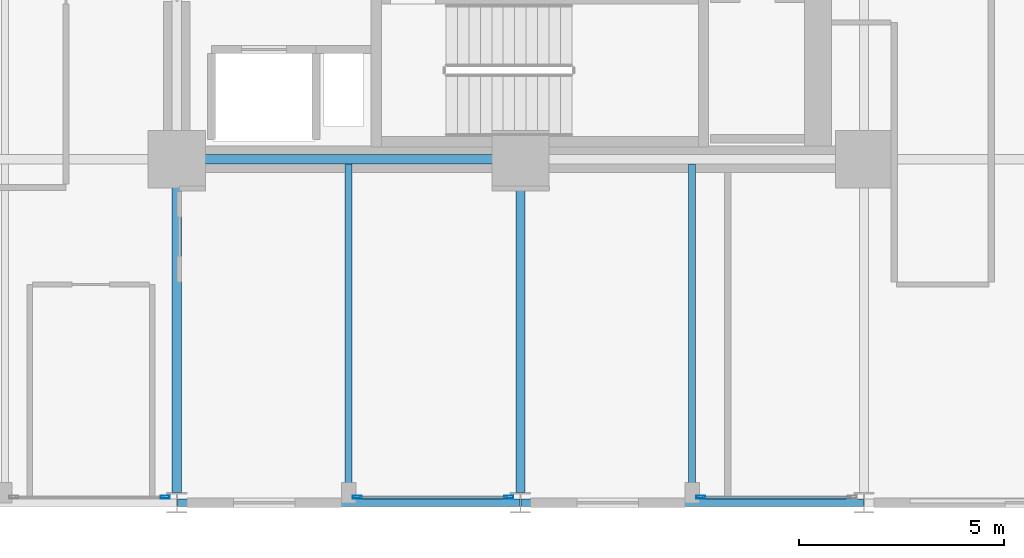
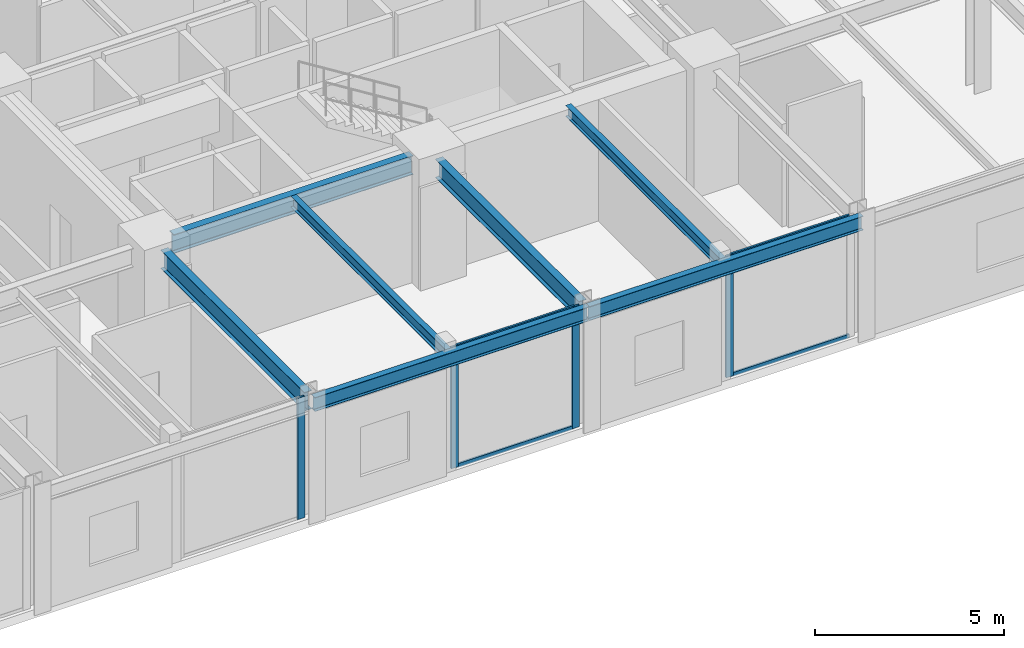
# One storey, part 4 of 24: 8 members, 7 beams, 3 elements without a shape of their own.
"""IFC4 building model written with IfcOpenShell, lengths in metres."""

from ifc_helpers import new_model, si_unit, direction, frame, origin, origin_2d, place, context, subcontext, project, spatial, hollow_rectangle, i_section, extrude, material, layer, layer_set, material_profile, profile_set, type_object, element, aggregate, save


model = new_model("IFC4")

# Units and contexts
model_context = context("Model", 3, precision=1e-05, world=origin(), true_north=direction((0.0, 1.0)))
body_context = subcontext(model_context, "Body", "Model", "MODEL_VIEW")
ifc_project = project(units=[si_unit("LENGTHUNIT", "METRE"), si_unit("AREAUNIT", "SQUARE_METRE"), si_unit("VOLUMEUNIT", "CUBIC_METRE"), si_unit("PLANEANGLEUNIT", "RADIAN"), si_unit("MASSUNIT", "GRAM", prefix="KILO")], contexts=[model_context])

# Site, building, storey
site_placement = place(None, origin())
site = spatial("IfcSite", under=ifc_project, at=site_placement, CompositionType="ELEMENT")
building_placement = place(site_placement, origin())
building = spatial("IfcBuilding", under=site, at=building_placement, Name="Nerrivon Quay Data Exchange", CompositionType="ELEMENT")
storey_placement = place(building_placement, frame((0.0, 0.0, 45.800048828125)))
storey = spatial("IfcBuildingStorey", under=building, at=storey_placement, Name="L10", CompositionType="ELEMENT", Elevation=45.800048828125)

# Beams
ifc_material_1 = material(Name="Steel Grade 350", Category="steel")
ifc_material_profile_1 = material_profile(ifc_material_1, i_section(OverallWidth=0.22900390625, OverallDepth=0.612060546875, WebThickness=0.011962890625, FlangeThickness=0.01953125, FilletRadius=0.013916015625, at=origin_2d()), Name="610UB125")
ifc_profile_set_1 = profile_set([ifc_material_profile_1], Name="Steel Grade 350")
beam_type_1 = type_object("IfcBeamType", Name="BM-G1-610UB125", PredefinedType="BEAM", material=ifc_profile_set_1)
beam_1_placement = place(storey_placement, frame((17.340087890625, 8.39990234375, 3.618896484375), z_axis=(1.0, 0.0, 0.0), x_axis=(0.0, 1.0, 0.0)))
element("IfcBeam", 1, at=beam_1_placement, inside=storey, type_object=beam_type_1, Name="L10 EW Girder Y=8.4 (16.8..25.2)", PredefinedType="BEAM", context=body_context, shape_type="SweptSolid", body=[
    extrude(i_section(OverallWidth=0.22900390625, OverallDepth=0.612060546875, WebThickness=0.011962890625, FlangeThickness=0.01953125, FilletRadius=0.013916015625, at=origin_2d()), origin(), (0.0, 0.0, 1.0), 7.31982421875),
])
ifc_material_profile_2 = material_profile(ifc_material_1, i_section(OverallWidth=0.22802734375, OverallDepth=0.60205078125, WebThickness=0.010498046875, FlangeThickness=0.014892578125, FilletRadius=0.013916015625, at=origin_2d()), Name="610UB101")
ifc_profile_set_2 = profile_set([ifc_material_profile_2], Name="Steel Grade 350")
beam_type_2 = type_object("IfcBeamType", Name="BM-G2-610UB101", PredefinedType="BEAM", material=ifc_profile_set_2)
for number, where, z_axis, x_axis, name in (
    (2, (16.800048828125, 0.25, 3.6240234375), (0.0, 1.0, 0.0), (-1.0, 0.0, 0.0), "L10 NS Girder X=16.8 (0.0..8.4)"),
    (3, (25.199951171875, 0.25, 3.6240234375), (0.0, 1.0, 0.0), (-1.0, 0.0, 0.0), "L10 NS Girder X=25.2 (0.0..8.4)"),
):
    element("IfcBeam", number, at=place(storey_placement, frame(where, z_axis=z_axis, x_axis=x_axis)), inside=storey, type_object=beam_type_2, Name=name, PredefinedType="BEAM", context=body_context, shape_type="SweptSolid", body=[
        extrude(i_section(OverallWidth=0.22802734375, OverallDepth=0.60205078125, WebThickness=0.010498046875, FlangeThickness=0.014892578125, FilletRadius=0.013916015625, at=origin_2d()), origin(), (0.0, 0.0, 1.0), 7.610107421875),
    ])
ifc_material_profile_3 = material_profile(ifc_material_1, i_section(OverallWidth=0.172119140625, OverallDepth=0.35888671875, WebThickness=0.008056640625, FlangeThickness=0.012939453125, FilletRadius=0.011474609375, at=origin_2d()), Name="360UB56.7")
ifc_profile_set_3 = profile_set([ifc_material_profile_3], Name="Steel Grade 350")
beam_type_3 = type_object("IfcBeamType", Name="BM-J3-360UB57", PredefinedType="JOIST", material=ifc_profile_set_3)
for number, where, z_axis, x_axis, name in (
    (4, (21.0, 0.094970703125, 3.745361328125), (0.0, 1.0, 0.0), (-1.0, 0.0, 0.0), "L10 Secondary Joist X=21.0 (0.0..8.4)"),
    (5, (29.39990234375, 0.094970703125, 3.745361328125), (0.0, 1.0, 0.0), (-1.0, 0.0, 0.0), "L10 Secondary Joist X=29.4 (0.0..8.4)"),
):
    element("IfcBeam", number, at=place(storey_placement, frame(where, z_axis=z_axis, x_axis=x_axis)), inside=storey, type_object=beam_type_3, Name=name, PredefinedType="JOIST", context=body_context, shape_type="SweptSolid", body=[
        extrude(i_section(OverallWidth=0.172119140625, OverallDepth=0.35888671875, WebThickness=0.008056640625, FlangeThickness=0.012939453125, FilletRadius=0.011474609375, at=origin_2d()), origin(), (0.0, 0.0, 1.0), 8.1904296875),
    ])
ifc_material_profile_4 = material_profile(ifc_material_1, i_section(OverallWidth=0.18994140625, OverallDepth=0.4541015625, WebThickness=0.008544921875, FlangeThickness=0.0126953125, FilletRadius=0.011474609375, at=origin_2d()), Name="460UB67.1")
ifc_profile_set_4 = profile_set([ifc_material_profile_4], Name="Steel Grade 350")
beam_type_4 = type_object("IfcBeamType", Name="BM-SP1-460UB67", PredefinedType="SPANDREL", material=ifc_profile_set_4)
beam_2_placement = place(storey_placement, frame((16.81396484375, 0.0, 3.697998046875), z_axis=(1.0, 0.0, 0.0), x_axis=(0.0, 1.0, 0.0)))
element("IfcBeam", 6, at=beam_2_placement, inside=storey, type_object=beam_type_4, Name="L10 EW Girder Y=0.0 (16.8..25.2)", PredefinedType="SPANDREL", context=body_context, shape_type="SweptSolid", body=[
    extrude(i_section(OverallWidth=0.18994140625, OverallDepth=0.4541015625, WebThickness=0.008544921875, FlangeThickness=0.0126953125, FilletRadius=0.011474609375, at=origin_2d()), origin(), (0.0, 0.0, 1.0), 8.3720703125),
])
beam_3_placement = place(storey_placement, frame((25.214111328125, 0.0, 3.697998046875), z_axis=(1.0, 0.0, 0.0), x_axis=(0.0, 1.0, 0.0)))
element("IfcBeam", 7, at=beam_3_placement, inside=storey, type_object=beam_type_4, Name="L10 EW Girder Y=0.0 (25.2..33.6)", PredefinedType="SPANDREL", context=body_context, shape_type="SweptSolid", body=[
    extrude(i_section(OverallWidth=0.18994140625, OverallDepth=0.4541015625, WebThickness=0.008544921875, FlangeThickness=0.0126953125, FilletRadius=0.011474609375, at=origin_2d()), origin(), (0.0, 0.0, 1.0), 8.371826171875),
])

# Curtain wall, member
ifc_material_2 = material(Name="Anodised aluminium 6063-T6", Category="aluminium")
ifc_layer = layer(ifc_material_2, 0.219970703125)
ifc_layer_set = layer_set([ifc_layer], Name="Anodised aluminium 6063-T6")
curtain_wall_type = type_object("IfcCurtainWallType", Name="CW-SYS-01", PredefinedType="NOTDEFINED", material=ifc_layer_set)
curtain_wall_1_placement = place(storey_placement, origin())
curtain_wall_1 = element("IfcCurtainWall", 8, at=curtain_wall_1_placement, inside=storey, type_object=curtain_wall_type, Name="L10 Unitised Curtain Wall 4", PredefinedType="NOTDEFINED")
ifc_material_profile_5 = material_profile(ifc_material_2, hollow_rectangle(XDim=0.074951171875, YDim=0.219970703125, WallThickness=0.00390625, at=origin_2d()), Name="ALU-MULL-220x75")
ifc_profile_set_5 = profile_set([ifc_material_profile_5], Name="Anodised aluminium 6063-T6")
member_type_1 = type_object("IfcMemberType", Name="CWM-220x75", PredefinedType="MULLION", material=ifc_profile_set_5)
member_1_placement = place(storey_placement, frame((29.612548828125, 0.139892578125, 0.0), z_axis=(0.0, 0.0, 1.0), x_axis=(0.0, -1.0, 0.0)))
member_1 = element("IfcMember", 9, at=member_1_placement, type_object=member_type_1, Name="CW01 mullion 2", PredefinedType="MULLION", context=body_context, shape_type="SweptSolid", body=[
    extrude(hollow_rectangle(XDim=0.074951171875, YDim=0.219970703125, WallThickness=0.00390625, at=origin_2d()), origin(), (0.0, 0.0, 1.0), 3.925048828125),
])

# Curtain wall, members
curtain_wall_2_placement = place(storey_placement, origin())
curtain_wall_2 = element("IfcCurtainWall", 10, at=curtain_wall_2_placement, inside=storey, type_object=curtain_wall_type, Name="L10 Unitised Curtain Wall 6", PredefinedType="NOTDEFINED")
member_2_placement = place(storey_placement, frame((24.91259765625, 0.139892578125, 0.0), z_axis=(0.0, 0.0, 1.0), x_axis=(0.0, -1.0, 0.0)))
member_2 = element("IfcMember", 11, at=member_2_placement, type_object=member_type_1, Name="CW01 mullion 1", PredefinedType="MULLION", context=body_context, shape_type="SweptSolid", body=[
    extrude(hollow_rectangle(XDim=0.074951171875, YDim=0.219970703125, WallThickness=0.00390625, at=origin_2d()), origin(), (0.0, 0.0, 1.0), 3.925048828125),
])
member_3_placement = place(storey_placement, frame((21.21240234375, 0.139892578125, 0.0), z_axis=(0.0, 0.0, 1.0), x_axis=(0.0, -1.0, 0.0)))
member_3 = element("IfcMember", 12, at=member_3_placement, type_object=member_type_1, Name="CW01 mullion 2", PredefinedType="MULLION", context=body_context, shape_type="SweptSolid", body=[
    extrude(hollow_rectangle(XDim=0.074951171875, YDim=0.219970703125, WallThickness=0.00390625, at=origin_2d()), origin(), (0.0, 0.0, 1.0), 3.925048828125),
])

# Curtain wall, member
curtain_wall_3_placement = place(storey_placement, origin())
curtain_wall_3 = element("IfcCurtainWall", 13, at=curtain_wall_3_placement, inside=storey, type_object=curtain_wall_type, Name="L10 Unitised Curtain Wall 8", PredefinedType="NOTDEFINED")
member_4_placement = place(storey_placement, frame((16.512451171875, 0.139892578125, 0.0), z_axis=(0.0, 0.0, 1.0), x_axis=(0.0, -1.0, 0.0)))
member_4 = element("IfcMember", 14, at=member_4_placement, type_object=member_type_1, Name="CW01 mullion 1", PredefinedType="MULLION", context=body_context, shape_type="SweptSolid", body=[
    extrude(hollow_rectangle(XDim=0.074951171875, YDim=0.219970703125, WallThickness=0.00390625, at=origin_2d()), origin(), (0.0, 0.0, 1.0), 3.925048828125),
])
aggregate(curtain_wall_3, [member_4])

# Member
ifc_material_profile_6 = material_profile(ifc_material_2, hollow_rectangle(XDim=0.06005859375, YDim=0.1201171875, WallThickness=0.003173828125, at=origin_2d()), Name="ALU-TRAN-120x60")
ifc_profile_set_6 = profile_set([ifc_material_profile_6], Name="Anodised aluminium 6063-T6")
member_type_2 = type_object("IfcMemberType", Name="CWT-120x60", PredefinedType="USERDEFINED", material=ifc_profile_set_6)
member_5_placement = place(storey_placement, frame((33.27490234375, 0.139892578125, 0.032470703125), z_axis=(-1.0, 0.0, 0.0), x_axis=(0.0, -1.0, 0.0)))
member_5 = element("IfcMember", 15, at=member_5_placement, type_object=member_type_2, Name="CW01 transom 1.1", ObjectType="TRANSOM", PredefinedType="USERDEFINED", context=body_context, shape_type="SweptSolid", body=[
    extrude(hollow_rectangle(XDim=0.06005859375, YDim=0.1201171875, WallThickness=0.003173828125, at=origin_2d()), origin(), (0.0, 0.0, 1.0), 3.625),
])

member_6_placement = place(storey_placement, frame((33.27490234375, 0.139892578125, 3.892333984375), z_axis=(-1.0, 0.0, 0.0), x_axis=(0.0, -1.0, 0.0)))
member_6 = element("IfcMember", 16, at=member_6_placement, type_object=member_type_2, Name="CW01 transom 1.2", ObjectType="TRANSOM", PredefinedType="USERDEFINED", context=body_context, shape_type="SweptSolid", body=[
    extrude(hollow_rectangle(XDim=0.06005859375, YDim=0.1201171875, WallThickness=0.003173828125, at=origin_2d()), origin(), (0.0, 0.0, 1.0), 3.625),
])

aggregate(curtain_wall_1, [member_1, member_5, member_6])

member_7_placement = place(storey_placement, frame((24.875, 0.139892578125, 0.032470703125), z_axis=(-1.0, 0.0, 0.0), x_axis=(0.0, -1.0, 0.0)))
member_7 = element("IfcMember", 17, at=member_7_placement, type_object=member_type_2, Name="CW01 transom 1.1", ObjectType="TRANSOM", PredefinedType="USERDEFINED", context=body_context, shape_type="SweptSolid", body=[
    extrude(hollow_rectangle(XDim=0.06005859375, YDim=0.1201171875, WallThickness=0.003173828125, at=origin_2d()), origin(), (0.0, 0.0, 1.0), 3.625),
])

member_8_placement = place(storey_placement, frame((24.875, 0.139892578125, 3.892333984375), z_axis=(-1.0, 0.0, 0.0), x_axis=(0.0, -1.0, 0.0)))
member_8 = element("IfcMember", 18, at=member_8_placement, type_object=member_type_2, Name="CW01 transom 1.2", ObjectType="TRANSOM", PredefinedType="USERDEFINED", context=body_context, shape_type="SweptSolid", body=[
    extrude(hollow_rectangle(XDim=0.06005859375, YDim=0.1201171875, WallThickness=0.003173828125, at=origin_2d()), origin(), (0.0, 0.0, 1.0), 3.625),
])

aggregate(curtain_wall_2, [member_2, member_3, member_7, member_8])

save(model, "model.ifc")
